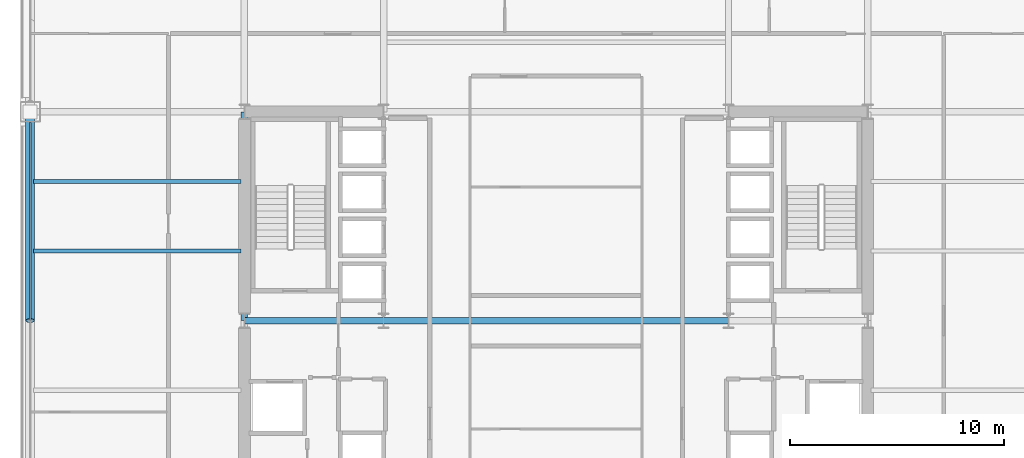
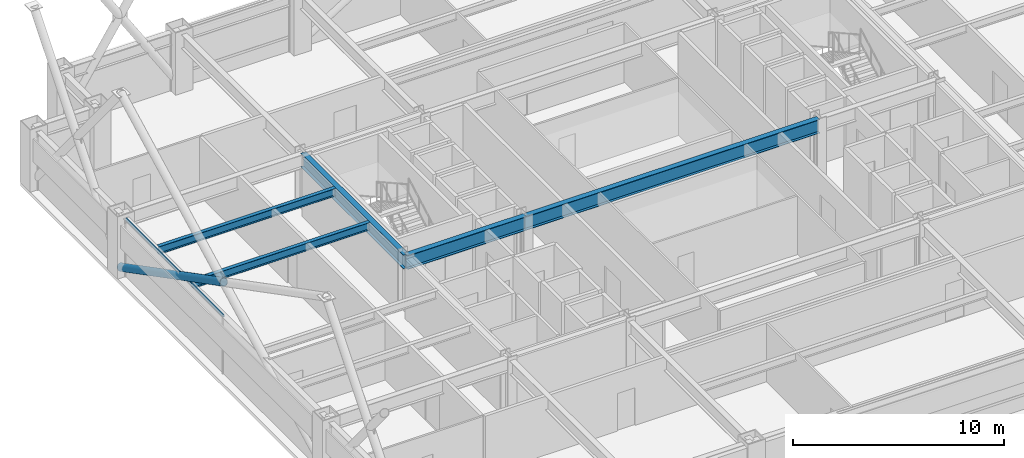
# One storey, part 10 of 33: 5 beams, 2 members, 1 element without a shape of its own.
"""IFC4 building model written with IfcOpenShell, lengths in metres."""

from ifc_helpers import new_model, si_unit, direction, frame, origin, origin_2d, place, context, subcontext, project, spatial, hollow_rectangle, hollow_circle, i_section, extrude, material, layer, layer_set, material_profile, profile_set, type_object, element, aggregate, save


model = new_model("IFC4")

# Units and contexts
model_context = context("Model", 3, precision=1e-05, world=origin(), true_north=direction((0.0, 1.0)))
body_context = subcontext(model_context, "Body", "Model", "MODEL_VIEW")
ifc_project = project(units=[si_unit("LENGTHUNIT", "METRE"), si_unit("AREAUNIT", "SQUARE_METRE"), si_unit("VOLUMEUNIT", "CUBIC_METRE"), si_unit("PLANEANGLEUNIT", "RADIAN"), si_unit("MASSUNIT", "GRAM", prefix="KILO")], contexts=[model_context])

# Site, building, storey
site_placement = place(None, origin())
site = spatial("IfcSite", under=ifc_project, at=site_placement, CompositionType="ELEMENT")
building_placement = place(site_placement, origin())
building = spatial("IfcBuilding", under=site, at=building_placement, Name="Brelmoor Portico Tower", CompositionType="ELEMENT")
storey_placement = place(building_placement, frame((0.0, 0.0, 34.800048828125)))
storey = spatial("IfcBuildingStorey", under=building, at=storey_placement, Name="L08", CompositionType="ELEMENT", Elevation=34.800048828125)

# Beams
ifc_material_1 = material(Name="Steel Q355B", Category="steel")
ifc_material_profile_1 = material_profile(ifc_material_1, i_section(OverallWidth=0.199951171875, OverallDepth=0.449951171875, WebThickness=0.009033203125, FlangeThickness=0.013916015625, at=origin_2d()), Name="HN 450x200x9x14")
ifc_profile_set_1 = profile_set([ifc_material_profile_1], Name="Steel Q355B")
beam_type_1 = type_object("IfcBeamType", Name="BM-JS-450", PredefinedType="JOIST", material=ifc_profile_set_1)
for number, where, z_axis, x_axis, name in (
    (1, (-24.39990234375, 3.25, 3.175048828125), (1.0, 0.0, 0.0), (0.0, 1.0, 0.0), "L08 Secondary Wing Joist JS-W07"),
    (2, (-24.39990234375, 6.5, 3.175048828125), (1.0, 0.0, 0.0), (0.0, 1.0, 0.0), "L08 Secondary Wing Joist JS-W08"),
):
    element("IfcBeam", number, at=place(storey_placement, frame(where, z_axis=z_axis, x_axis=x_axis)), inside=storey, type_object=beam_type_1, Name=name, PredefinedType="JOIST", context=body_context, shape_type="SweptSolid", body=[
        extrude(i_section(OverallWidth=0.199951171875, OverallDepth=0.449951171875, WebThickness=0.009033203125, FlangeThickness=0.013916015625, at=origin_2d()), origin(), (0.0, 0.0, 1.0), 9.699951171875),
    ])
ifc_material_profile_2 = material_profile(ifc_material_1, i_section(OverallWidth=0.300048828125, OverallDepth=0.800048828125, WebThickness=0.013916015625, FlangeThickness=0.02587890625, at=origin_2d()), Name="HN 800x300x14x26")
ifc_profile_set_2 = profile_set([ifc_material_profile_2], Name="Steel Q355B")
beam_type_2 = type_object("IfcBeamType", Name="BM-PG-800", PredefinedType="BEAM", material=ifc_profile_set_2)
beam_1_placement = place(storey_placement, frame((-14.550048828125, 0.0, 3.0), z_axis=(0.0, 1.0, 0.0), x_axis=(-1.0, 0.0, 0.0)))
element("IfcBeam", 3, at=beam_1_placement, inside=storey, type_object=beam_type_2, Name="L08 Primary Floor Girder PG-05", PredefinedType="BEAM", context=body_context, shape_type="SweptSolid", body=[
    extrude(i_section(OverallWidth=0.300048828125, OverallDepth=0.800048828125, WebThickness=0.013916015625, FlangeThickness=0.02587890625, at=origin_2d()), origin(), (0.0, 0.0, 1.0), 9.75),
])
beam_2_placement = place(storey_placement, frame((-14.550048828125, 0.0, 3.0), z_axis=(1.0, 0.0, 0.0), x_axis=(0.0, 1.0, 0.0)))
element("IfcBeam", 4, at=beam_2_placement, inside=storey, type_object=beam_type_2, Name="L08 Primary Floor Girder PG-24", PredefinedType="BEAM", context=body_context, shape_type="SweptSolid", body=[
    extrude(i_section(OverallWidth=0.300048828125, OverallDepth=0.800048828125, WebThickness=0.013916015625, FlangeThickness=0.02587890625, at=origin_2d()), origin(), (0.0, 0.0, 1.0), 6.5),
])
beam_3_placement = place(storey_placement, frame((-8.050048828125, 0.0, 3.0), z_axis=(1.0, 0.0, 0.0), x_axis=(0.0, 1.0, 0.0)))
element("IfcBeam", 5, at=beam_3_placement, inside=storey, type_object=beam_type_2, Name="L08 Primary Floor Girder PG-25", PredefinedType="BEAM", context=body_context, shape_type="SweptSolid", body=[
    extrude(i_section(OverallWidth=0.300048828125, OverallDepth=0.800048828125, WebThickness=0.013916015625, FlangeThickness=0.02587890625, at=origin_2d()), origin(), (0.0, 0.0, 1.0), 16.10009765625),
])

# Member
ifc_material_profile_3 = material_profile(ifc_material_1, hollow_circle(Radius=0.212890625, WallThickness=0.02001953125, at=origin_2d()), Name="CHS 426x20")
ifc_profile_set_3 = profile_set([ifc_material_profile_3], Name="Steel Q355B")
member_type_1 = type_object("IfcMemberType", Name="MB-BELT-DIAG1", PredefinedType="BRACE", material=ifc_profile_set_3)
member_1_placement = place(storey_placement, frame((-24.550048828125, 9.75, 0.25), z_axis=(0.0, -0.887959386012, 0.459921872488), x_axis=(1.0, 0.0, 0.0)))
element("IfcMember", 6, at=member_1_placement, inside=storey, type_object=member_type_1, Name="L08 Split Mega-X Brace 014B1", PredefinedType="BRACE", context=body_context, shape_type="SweptSolid", body=[
    extrude(hollow_circle(Radius=0.212890625, WallThickness=0.02001953125, at=origin_2d()), origin(), (0.0, 0.0, 1.0), 10.980224609375),
])

# Curtain wall, member
ifc_material_2 = material(Name="Anodised Aluminium Alloy 6063-T6", Category="aluminium")
ifc_layer = layer(ifc_material_2, 0.179931640625)
ifc_layer_set = layer_set([ifc_layer], Name="Anodised Aluminium Alloy 6063-T6")
curtain_wall_type = type_object("IfcCurtainWallType", Name="CW-TOWER-Z1-XB", PredefinedType="NOTDEFINED", material=ifc_layer_set)
curtain_wall_placement = place(storey_placement, origin())
curtain_wall = element("IfcCurtainWall", 7, at=curtain_wall_placement, inside=storey, type_object=curtain_wall_type, Name="L08 Curtain Wall CW-L08-03-2", PredefinedType="NOTDEFINED")
ifc_material_profile_4 = material_profile(ifc_material_2, hollow_rectangle(XDim=0.06494140625, YDim=0.139892578125, WallThickness=0.00390625, at=origin_2d()), Name="ALU TRANSOM 65x140")
ifc_profile_set_4 = profile_set([ifc_material_profile_4], Name="Anodised Aluminium Alloy 6063-T6")
member_type_2 = type_object("IfcMemberType", Name="MB-CW-TRAN-140", PredefinedType="USERDEFINED", material=ifc_profile_set_4)
member_2_placement = place(storey_placement, frame((-24.550048828125, 0.0, 3.329833984375), z_axis=(0.0, 1.0, 0.0), x_axis=(-1.0, 0.0, 0.0)))
member_2 = element("IfcMember", 8, at=member_2_placement, type_object=member_type_2, Name="CW-L08-03-2 Transom 1-01", ObjectType="TRANSOM", PredefinedType="USERDEFINED", context=body_context, shape_type="SweptSolid", body=[
    extrude(hollow_rectangle(XDim=0.06494140625, YDim=0.139892578125, WallThickness=0.00390625, at=origin_2d()), origin(), (0.0, 0.0, 1.0), 9.264892578125),
])
aggregate(curtain_wall, [member_2])

save(model, "model.ifc")
